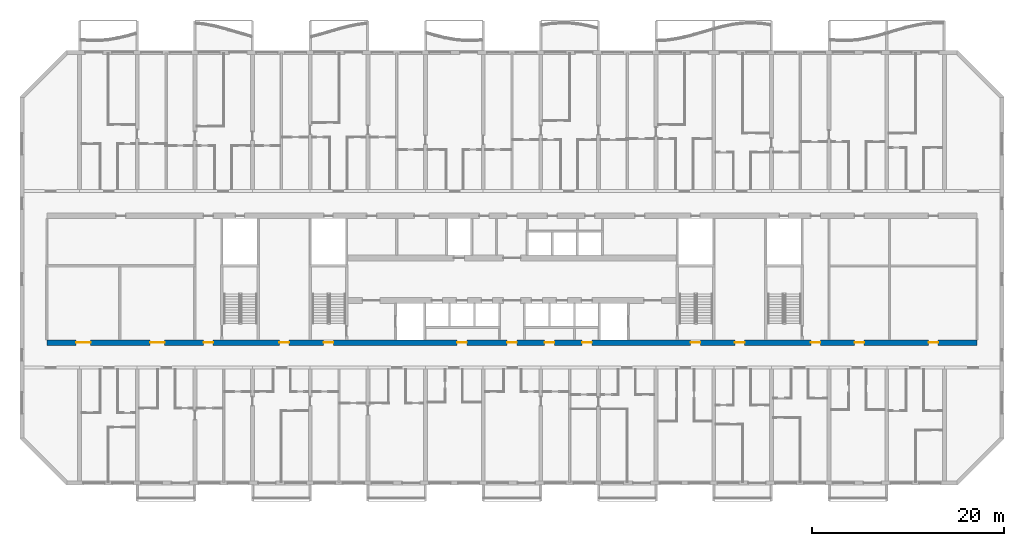
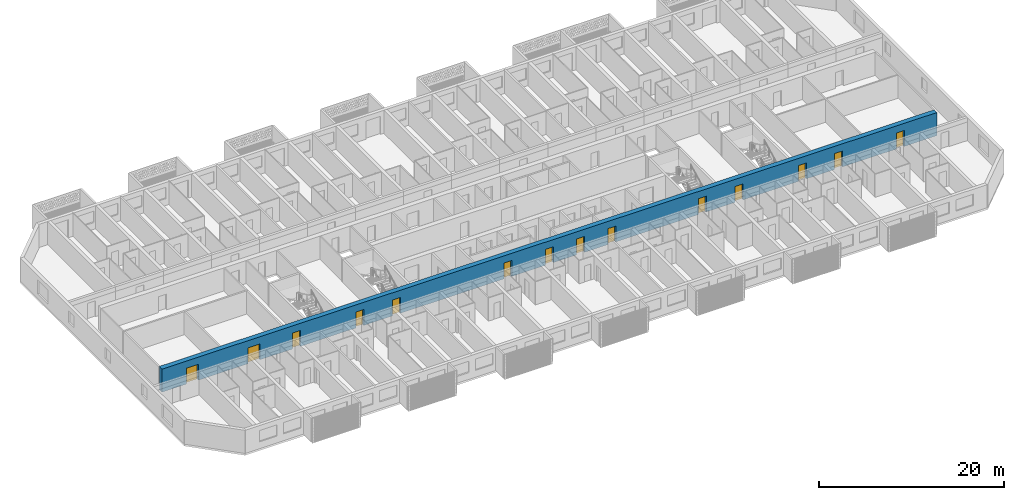
# One storey, part 7 of 38: 14 doors, 1 wall, 14 openings.
"""IFC4 building model written with IfcOpenShell, lengths in metres."""

from ifc_helpers import new_model, si_unit, direction, frame, frame_2d, origin, place, context, subcontext, project, spatial, rectangle, extrude, material, layer, layer_set, type_object, element, fill, save


model = new_model("IFC4")

# Units and contexts
model_context = context("Model", 3, precision=1e-05, world=origin(), true_north=direction((0.0, 1.0)))
body_context = subcontext(model_context, "Body", "Model", "MODEL_VIEW")
ifc_project = project(units=[si_unit("LENGTHUNIT", "METRE"), si_unit("AREAUNIT", "SQUARE_METRE"), si_unit("VOLUMEUNIT", "CUBIC_METRE"), si_unit("PLANEANGLEUNIT", "RADIAN"), si_unit("MASSUNIT", "GRAM", prefix="KILO")], contexts=[model_context])

# Site, building, storey
site_placement = place(None, origin())
site = spatial("IfcSite", under=ifc_project, at=site_placement, CompositionType="ELEMENT")
building_placement = place(site_placement, origin())
building = spatial("IfcBuilding", under=site, at=building_placement, Name="Poui Terraces", CompositionType="ELEMENT")
storey_placement = place(building_placement, frame((0.0, 0.0, 46.5)))
storey = spatial("IfcBuildingStorey", under=building, at=storey_placement, Name="L12", CompositionType="ELEMENT", Elevation=46.5)

# Wall, openings, doors
ifc_material_1 = material(Name="Concrete 80 MPa", Category="concrete")
ifc_layer = layer(ifc_material_1, 0.60009765625)
ifc_layer_set = layer_set([ifc_layer], Name="Concrete 80 MPa")
wall_type = type_object("IfcWallType", Name="SPINE WALL 600 80 MPA", PredefinedType="SOLIDWALL", material=ifc_layer_set)
wall_placement = place(storey_placement, frame((2.60009765625, 14.60009765625, 0.0), z_axis=(0.0, 0.0, 1.0), x_axis=(1.0, 0.0, 0.0)))
wall = element("IfcWall", 1, at=wall_placement, inside=storey, type_object=wall_type, Name="SPINE WALL", PredefinedType="SOLIDWALL", context=body_context, shape_type="SweptSolid", body=[
    extrude(rectangle(XDim=96.7998046875, YDim=0.60009765625, at=frame_2d((48.39990234375, 0.0))), origin(), (0.0, 0.0, 1.0), 3.050048828125),
])
opening_1_placement = place(wall_placement, frame((3.050048828125, 0.0, 0.0)))
opening_1 = element("IfcOpeningElement", 2, at=opening_1_placement, cuts=wall, Name="Opening FDP", PredefinedType="OPENING", context=body_context, shape_type="SweptSolid", body=[
    extrude(rectangle(XDim=1.5, YDim=2.10009765625, at=frame_2d((0.75, 1.050048828125))), frame((0.0, 0.31005859375, 0.0), z_axis=(0.0, -1.0, 0.0), x_axis=(1.0, 0.0, 0.0)), (0.0, 0.0, 1.0), 0.6201171875),
])
opening_2_placement = place(wall_placement, frame((10.75, 0.0, 0.0)))
opening_2 = element("IfcOpeningElement", 3, at=opening_2_placement, cuts=wall, Name="Opening FDP", PredefinedType="OPENING", context=body_context, shape_type="SweptSolid", body=[
    extrude(rectangle(XDim=1.5, YDim=2.10009765625, at=frame_2d((0.75, 1.050048828125))), frame((0.0, 0.31005859375, 0.0), z_axis=(0.0, -1.0, 0.0), x_axis=(1.0, 0.0, 0.0)), (0.0, 0.0, 1.0), 0.6201171875),
])
opening_3_placement = place(wall_placement, frame((16.300048828125, 0.0, 0.0)))
opening_3 = element("IfcOpeningElement", 4, at=opening_3_placement, cuts=wall, Name="Opening FDL", PredefinedType="OPENING", context=body_context, shape_type="SweptSolid", body=[
    extrude(rectangle(XDim=1.0, YDim=2.10009765625, at=frame_2d((0.5, 1.050048828125))), frame((0.0, 0.31005859375, 0.0), z_axis=(0.0, -1.0, 0.0), x_axis=(1.0, 0.0, 0.0)), (0.0, 0.0, 1.0), 0.6201171875),
])
opening_4_placement = place(wall_placement, frame((24.199951171875, 0.0, 0.0)))
opening_4 = element("IfcOpeningElement", 5, at=opening_4_placement, cuts=wall, Name="Opening D100", PredefinedType="OPENING", context=body_context, shape_type="SweptSolid", body=[
    extrude(rectangle(XDim=1.0, YDim=2.10009765625, at=frame_2d((0.5, 1.050048828125))), frame((0.0, 0.31005859375, 0.0), z_axis=(0.0, -1.0, 0.0), x_axis=(1.0, 0.0, 0.0)), (0.0, 0.0, 1.0), 0.6201171875),
])
opening_5_placement = place(wall_placement, frame((28.800048828125, 0.0, 0.0)))
opening_5 = element("IfcOpeningElement", 6, at=opening_5_placement, cuts=wall, Name="Opening FD60S", PredefinedType="OPENING", context=body_context, shape_type="SweptSolid", body=[
    extrude(rectangle(XDim=1.0, YDim=2.10009765625, at=frame_2d((0.5, 1.050048828125))), frame((0.0, 0.31005859375, 0.0), z_axis=(0.0, -1.0, 0.0), x_axis=(1.0, 0.0, 0.0)), (0.0, 0.0, 1.0), 0.6201171875),
])
opening_6_placement = place(wall_placement, frame((42.699951171875, 0.0, 0.0)))
opening_6 = element("IfcOpeningElement", 7, at=opening_6_placement, cuts=wall, Name="Opening FD60", PredefinedType="OPENING", context=body_context, shape_type="SweptSolid", body=[
    extrude(rectangle(XDim=1.0, YDim=2.10009765625, at=frame_2d((0.5, 1.050048828125))), frame((0.0, 0.31005859375, 0.0), z_axis=(0.0, -1.0, 0.0), x_axis=(1.0, 0.0, 0.0)), (0.0, 0.0, 1.0), 0.6201171875),
])
opening_7_placement = place(wall_placement, frame((47.89990234375, 0.0, 0.0)))
opening_7 = element("IfcOpeningElement", 8, at=opening_7_placement, cuts=wall, Name="Opening FDL", PredefinedType="OPENING", context=body_context, shape_type="SweptSolid", body=[
    extrude(rectangle(XDim=1.0, YDim=2.10009765625, at=frame_2d((0.5, 1.050048828125))), frame((0.0, 0.31005859375, 0.0), z_axis=(0.0, -1.0, 0.0), x_axis=(1.0, 0.0, 0.0)), (0.0, 0.0, 1.0), 0.6201171875),
])
opening_8_placement = place(wall_placement, frame((51.800048828125, 0.0, 0.0)))
opening_8 = element("IfcOpeningElement", 9, at=opening_8_placement, cuts=wall, Name="Opening FD60", PredefinedType="OPENING", context=body_context, shape_type="SweptSolid", body=[
    extrude(rectangle(XDim=1.0, YDim=2.10009765625, at=frame_2d((0.5, 1.050048828125))), frame((0.0, 0.31005859375, 0.0), z_axis=(0.0, -1.0, 0.0), x_axis=(1.0, 0.0, 0.0)), (0.0, 0.0, 1.0), 0.6201171875),
])
opening_9_placement = place(wall_placement, frame((55.699951171875, 0.0, 0.0)))
opening_9 = element("IfcOpeningElement", 10, at=opening_9_placement, cuts=wall, Name="Opening FD60", PredefinedType="OPENING", context=body_context, shape_type="SweptSolid", body=[
    extrude(rectangle(XDim=1.0, YDim=2.10009765625, at=frame_2d((0.5, 1.050048828125))), frame((0.0, 0.31005859375, 0.0), z_axis=(0.0, -1.0, 0.0), x_axis=(1.0, 0.0, 0.0)), (0.0, 0.0, 1.0), 0.6201171875),
])
opening_10_placement = place(wall_placement, frame((67.0, 0.0, 0.0)))
opening_10 = element("IfcOpeningElement", 11, at=opening_10_placement, cuts=wall, Name="Opening FD60S", PredefinedType="OPENING", context=body_context, shape_type="SweptSolid", body=[
    extrude(rectangle(XDim=1.0, YDim=2.10009765625, at=frame_2d((0.5, 1.050048828125))), frame((0.0, 0.31005859375, 0.0), z_axis=(0.0, -1.0, 0.0), x_axis=(1.0, 0.0, 0.0)), (0.0, 0.0, 1.0), 0.6201171875),
])
opening_11_placement = place(wall_placement, frame((71.60009765625, 0.0, 0.0)))
opening_11 = element("IfcOpeningElement", 12, at=opening_11_placement, cuts=wall, Name="Opening D100", PredefinedType="OPENING", context=body_context, shape_type="SweptSolid", body=[
    extrude(rectangle(XDim=1.0, YDim=2.10009765625, at=frame_2d((0.5, 1.050048828125))), frame((0.0, 0.31005859375, 0.0), z_axis=(0.0, -1.0, 0.0), x_axis=(1.0, 0.0, 0.0)), (0.0, 0.0, 1.0), 0.6201171875),
])
opening_12_placement = place(wall_placement, frame((79.5, 0.0, 0.0)))
opening_12 = element("IfcOpeningElement", 13, at=opening_12_placement, cuts=wall, Name="Opening FDL", PredefinedType="OPENING", context=body_context, shape_type="SweptSolid", body=[
    extrude(rectangle(XDim=1.0, YDim=2.10009765625, at=frame_2d((0.5, 1.050048828125))), frame((0.0, 0.31005859375, 0.0), z_axis=(0.0, -1.0, 0.0), x_axis=(1.0, 0.0, 0.0)), (0.0, 0.0, 1.0), 0.6201171875),
])
opening_13_placement = place(wall_placement, frame((84.050048828125, 0.0, 0.0)))
opening_13 = element("IfcOpeningElement", 14, at=opening_13_placement, cuts=wall, Name="Opening FD60", PredefinedType="OPENING", context=body_context, shape_type="SweptSolid", body=[
    extrude(rectangle(XDim=1.0, YDim=2.10009765625, at=frame_2d((0.5, 1.050048828125))), frame((0.0, 0.31005859375, 0.0), z_axis=(0.0, -1.0, 0.0), x_axis=(1.0, 0.0, 0.0)), (0.0, 0.0, 1.0), 0.6201171875),
])
opening_14_placement = place(wall_placement, frame((91.75, 0.0, 0.0)))
opening_14 = element("IfcOpeningElement", 15, at=opening_14_placement, cuts=wall, Name="Opening FD60", PredefinedType="OPENING", context=body_context, shape_type="SweptSolid", body=[
    extrude(rectangle(XDim=1.0, YDim=2.10009765625, at=frame_2d((0.5, 1.050048828125))), frame((0.0, 0.31005859375, 0.0), z_axis=(0.0, -1.0, 0.0), x_axis=(1.0, 0.0, 0.0)), (0.0, 0.0, 1.0), 0.6201171875),
])
ifc_material_2 = material(Name="Solid core timber door", Category="wood")
door_type_1 = type_object("IfcDoorType", Name="ACCESSIBLE INTERNAL DOOR 1000 X 2100", OperationType="NOTDEFINED", PredefinedType="DOOR", material=ifc_material_2)
door_1_placement = place(opening_4_placement, frame((1.0, 0.0, 0.0), z_axis=(0.0, 0.0, 1.0), x_axis=(-1.0, 0.0, 0.0)))
door_1 = element("IfcDoor", 16, at=door_1_placement, inside=storey, type_object=door_type_1, Name="ACCESSIBLE INTERNAL DOOR 020", OperationType="SINGLE_SWING_RIGHT", OverallHeight=2.10009765625, OverallWidth=1.0, PredefinedType="DOOR", context=body_context, shape_type="SweptSolid", body=[
    extrude(rectangle(XDim=1.0, YDim=2.10009765625, at=frame_2d((0.5, 1.050048828125))), frame((0.0, 0.02490234375, 0.0), z_axis=(0.0, -1.0, 0.0), x_axis=(1.0, 0.0, 0.0)), (0.0, 0.0, 1.0), 0.050048828125),
])
fill(opening_4, door_1)
door_2_placement = place(opening_11_placement, frame((1.0, 0.0, 0.0), z_axis=(0.0, 0.0, 1.0), x_axis=(-1.0, 0.0, 0.0)))
door_2 = element("IfcDoor", 17, at=door_2_placement, inside=storey, type_object=door_type_1, Name="ACCESSIBLE INTERNAL DOOR 027", OperationType="SINGLE_SWING_LEFT", OverallHeight=2.10009765625, OverallWidth=1.0, PredefinedType="DOOR", context=body_context, shape_type="SweptSolid", body=[
    extrude(rectangle(XDim=1.0, YDim=2.10009765625, at=frame_2d((0.5, 1.050048828125))), frame((0.0, 0.02490234375, 0.0), z_axis=(0.0, -1.0, 0.0), x_axis=(1.0, 0.0, 0.0)), (0.0, 0.0, 1.0), 0.050048828125),
])
fill(opening_11, door_2)
ifc_material_3 = material(Name="Steel fire door", Category="steel")
door_type_2 = type_object("IfcDoorType", Name="LOBBY FIRE DOOR 1000 X 2100", OperationType="NOTDEFINED", PredefinedType="DOOR", material=ifc_material_3)
door_3_placement = place(opening_3_placement, frame((1.0, 0.0, 0.0), z_axis=(0.0, 0.0, 1.0), x_axis=(-1.0, 0.0, 0.0)))
door_3 = element("IfcDoor", 18, at=door_3_placement, inside=storey, type_object=door_type_2, Name="LOBBY FIRE DOOR 019", OperationType="SINGLE_SWING_RIGHT", OverallHeight=2.10009765625, OverallWidth=1.0, PredefinedType="DOOR", context=body_context, shape_type="SweptSolid", body=[
    extrude(rectangle(XDim=1.0, YDim=2.10009765625, at=frame_2d((0.5, 1.050048828125))), frame((0.0, 0.02490234375, 0.0), z_axis=(0.0, -1.0, 0.0), x_axis=(1.0, 0.0, 0.0)), (0.0, 0.0, 1.0), 0.050048828125),
])
fill(opening_3, door_3)
door_4_placement = place(opening_7_placement, frame((1.0, 0.0, 0.0), z_axis=(0.0, 0.0, 1.0), x_axis=(-1.0, 0.0, 0.0)))
door_4 = element("IfcDoor", 19, at=door_4_placement, inside=storey, type_object=door_type_2, Name="LOBBY FIRE DOOR 023", OperationType="SINGLE_SWING_LEFT", OverallHeight=2.10009765625, OverallWidth=1.0, PredefinedType="DOOR", context=body_context, shape_type="SweptSolid", body=[
    extrude(rectangle(XDim=1.0, YDim=2.10009765625, at=frame_2d((0.5, 1.050048828125))), frame((0.0, 0.02490234375, 0.0), z_axis=(0.0, -1.0, 0.0), x_axis=(1.0, 0.0, 0.0)), (0.0, 0.0, 1.0), 0.050048828125),
])
fill(opening_7, door_4)
door_5_placement = place(opening_12_placement, frame((1.0, 0.0, 0.0), z_axis=(0.0, 0.0, 1.0), x_axis=(-1.0, 0.0, 0.0)))
door_5 = element("IfcDoor", 20, at=door_5_placement, inside=storey, type_object=door_type_2, Name="LOBBY FIRE DOOR 028", OperationType="SINGLE_SWING_LEFT", OverallHeight=2.10009765625, OverallWidth=1.0, PredefinedType="DOOR", context=body_context, shape_type="SweptSolid", body=[
    extrude(rectangle(XDim=1.0, YDim=2.10009765625, at=frame_2d((0.5, 1.050048828125))), frame((0.0, 0.02490234375, 0.0), z_axis=(0.0, -1.0, 0.0), x_axis=(1.0, 0.0, 0.0)), (0.0, 0.0, 1.0), 0.050048828125),
])
fill(opening_12, door_5)
door_type_3 = type_object("IfcDoorType", Name="PLANT ROOM DOOR PAIR 1500 X 2100", OperationType="DOUBLE_DOOR_SINGLE_SWING", PredefinedType="DOOR", material=ifc_material_3)
door_6_placement = place(opening_1_placement, frame((1.5, 0.0, 0.0), z_axis=(0.0, 0.0, 1.0), x_axis=(-1.0, 0.0, 0.0)))
door_6 = element("IfcDoor", 21, at=door_6_placement, inside=storey, type_object=door_type_3, Name="PLANT ROOM DOOR PAIR 017", OperationType="DOUBLE_DOOR_SINGLE_SWING", OverallHeight=2.10009765625, OverallWidth=1.5, PredefinedType="DOOR", context=body_context, shape_type="SweptSolid", body=[
    extrude(rectangle(XDim=1.5, YDim=2.10009765625, at=frame_2d((0.75, 1.050048828125))), frame((0.0, 0.02490234375, 0.0), z_axis=(0.0, -1.0, 0.0), x_axis=(1.0, 0.0, 0.0)), (0.0, 0.0, 1.0), 0.050048828125),
])
fill(opening_1, door_6)
door_7_placement = place(opening_2_placement, frame((1.5, 0.0, 0.0), z_axis=(0.0, 0.0, 1.0), x_axis=(-1.0, 0.0, 0.0)))
door_7 = element("IfcDoor", 22, at=door_7_placement, inside=storey, type_object=door_type_3, Name="PLANT ROOM DOOR PAIR 018", OperationType="DOUBLE_DOOR_SINGLE_SWING", OverallHeight=2.10009765625, OverallWidth=1.5, PredefinedType="DOOR", context=body_context, shape_type="SweptSolid", body=[
    extrude(rectangle(XDim=1.5, YDim=2.10009765625, at=frame_2d((0.75, 1.050048828125))), frame((0.0, 0.02490234375, 0.0), z_axis=(0.0, -1.0, 0.0), x_axis=(1.0, 0.0, 0.0)), (0.0, 0.0, 1.0), 0.050048828125),
])
fill(opening_2, door_7)
door_type_4 = type_object("IfcDoorType", Name="SERVICE ROOM FIRE DOOR 1000 X 2100", OperationType="NOTDEFINED", PredefinedType="DOOR", material=ifc_material_3)
door_8_placement = place(opening_6_placement, frame((1.0, 0.0, 0.0), z_axis=(0.0, 0.0, 1.0), x_axis=(-1.0, 0.0, 0.0)))
door_8 = element("IfcDoor", 23, at=door_8_placement, inside=storey, type_object=door_type_4, Name="SERVICE ROOM FIRE DOOR 022", OperationType="SINGLE_SWING_LEFT", OverallHeight=2.10009765625, OverallWidth=1.0, PredefinedType="DOOR", context=body_context, shape_type="SweptSolid", body=[
    extrude(rectangle(XDim=1.0, YDim=2.10009765625, at=frame_2d((0.5, 1.050048828125))), frame((0.0, 0.02490234375, 0.0), z_axis=(0.0, -1.0, 0.0), x_axis=(1.0, 0.0, 0.0)), (0.0, 0.0, 1.0), 0.050048828125),
])
fill(opening_6, door_8)
door_9_placement = place(opening_8_placement, frame((1.0, 0.0, 0.0), z_axis=(0.0, 0.0, 1.0), x_axis=(-1.0, 0.0, 0.0)))
door_9 = element("IfcDoor", 24, at=door_9_placement, inside=storey, type_object=door_type_4, Name="SERVICE ROOM FIRE DOOR 024", OperationType="SINGLE_SWING_RIGHT", OverallHeight=2.10009765625, OverallWidth=1.0, PredefinedType="DOOR", context=body_context, shape_type="SweptSolid", body=[
    extrude(rectangle(XDim=1.0, YDim=2.10009765625, at=frame_2d((0.5, 1.050048828125))), frame((0.0, 0.02490234375, 0.0), z_axis=(0.0, -1.0, 0.0), x_axis=(1.0, 0.0, 0.0)), (0.0, 0.0, 1.0), 0.050048828125),
])
fill(opening_8, door_9)
door_10_placement = place(opening_9_placement, frame((1.0, 0.0, 0.0), z_axis=(0.0, 0.0, 1.0), x_axis=(-1.0, 0.0, 0.0)))
door_10 = element("IfcDoor", 25, at=door_10_placement, inside=storey, type_object=door_type_4, Name="SERVICE ROOM FIRE DOOR 025", OperationType="SINGLE_SWING_LEFT", OverallHeight=2.10009765625, OverallWidth=1.0, PredefinedType="DOOR", context=body_context, shape_type="SweptSolid", body=[
    extrude(rectangle(XDim=1.0, YDim=2.10009765625, at=frame_2d((0.5, 1.050048828125))), frame((0.0, 0.02490234375, 0.0), z_axis=(0.0, -1.0, 0.0), x_axis=(1.0, 0.0, 0.0)), (0.0, 0.0, 1.0), 0.050048828125),
])
fill(opening_9, door_10)
door_11_placement = place(opening_13_placement, frame((1.0, 0.0, 0.0), z_axis=(0.0, 0.0, 1.0), x_axis=(-1.0, 0.0, 0.0)))
door_11 = element("IfcDoor", 26, at=door_11_placement, inside=storey, type_object=door_type_4, Name="SERVICE ROOM FIRE DOOR 029", OperationType="SINGLE_SWING_LEFT", OverallHeight=2.10009765625, OverallWidth=1.0, PredefinedType="DOOR", context=body_context, shape_type="SweptSolid", body=[
    extrude(rectangle(XDim=1.0, YDim=2.10009765625, at=frame_2d((0.5, 1.050048828125))), frame((0.0, 0.02490234375, 0.0), z_axis=(0.0, -1.0, 0.0), x_axis=(1.0, 0.0, 0.0)), (0.0, 0.0, 1.0), 0.050048828125),
])
fill(opening_13, door_11)
door_12_placement = place(opening_14_placement, frame((1.0, 0.0, 0.0), z_axis=(0.0, 0.0, 1.0), x_axis=(-1.0, 0.0, 0.0)))
door_12 = element("IfcDoor", 27, at=door_12_placement, inside=storey, type_object=door_type_4, Name="SERVICE ROOM FIRE DOOR 030", OperationType="SINGLE_SWING_RIGHT", OverallHeight=2.10009765625, OverallWidth=1.0, PredefinedType="DOOR", context=body_context, shape_type="SweptSolid", body=[
    extrude(rectangle(XDim=1.0, YDim=2.10009765625, at=frame_2d((0.5, 1.050048828125))), frame((0.0, 0.02490234375, 0.0), z_axis=(0.0, -1.0, 0.0), x_axis=(1.0, 0.0, 0.0)), (0.0, 0.0, 1.0), 0.050048828125),
])
fill(opening_14, door_12)
door_type_5 = type_object("IfcDoorType", Name="STAIR DOOR 1000 X 2100", OperationType="NOTDEFINED", PredefinedType="DOOR", material=ifc_material_3)
door_13_placement = place(opening_5_placement, origin())
door_13 = element("IfcDoor", 28, at=door_13_placement, inside=storey, type_object=door_type_5, Name="STAIR DOOR 021", OperationType="SINGLE_SWING_RIGHT", OverallHeight=2.10009765625, OverallWidth=1.0, PredefinedType="DOOR", context=body_context, shape_type="SweptSolid", body=[
    extrude(rectangle(XDim=1.0, YDim=2.10009765625, at=frame_2d((0.5, 1.050048828125))), frame((0.0, 0.02490234375, 0.0), z_axis=(0.0, -1.0, 0.0), x_axis=(1.0, 0.0, 0.0)), (0.0, 0.0, 1.0), 0.050048828125),
])
fill(opening_5, door_13)
door_14_placement = place(opening_10_placement, origin())
door_14 = element("IfcDoor", 29, at=door_14_placement, inside=storey, type_object=door_type_5, Name="STAIR DOOR 026", OperationType="SINGLE_SWING_RIGHT", OverallHeight=2.10009765625, OverallWidth=1.0, PredefinedType="DOOR", context=body_context, shape_type="SweptSolid", body=[
    extrude(rectangle(XDim=1.0, YDim=2.10009765625, at=frame_2d((0.5, 1.050048828125))), frame((0.0, 0.02490234375, 0.0), z_axis=(0.0, -1.0, 0.0), x_axis=(1.0, 0.0, 0.0)), (0.0, 0.0, 1.0), 0.050048828125),
])
fill(opening_10, door_14)

save(model, "model.ifc")
